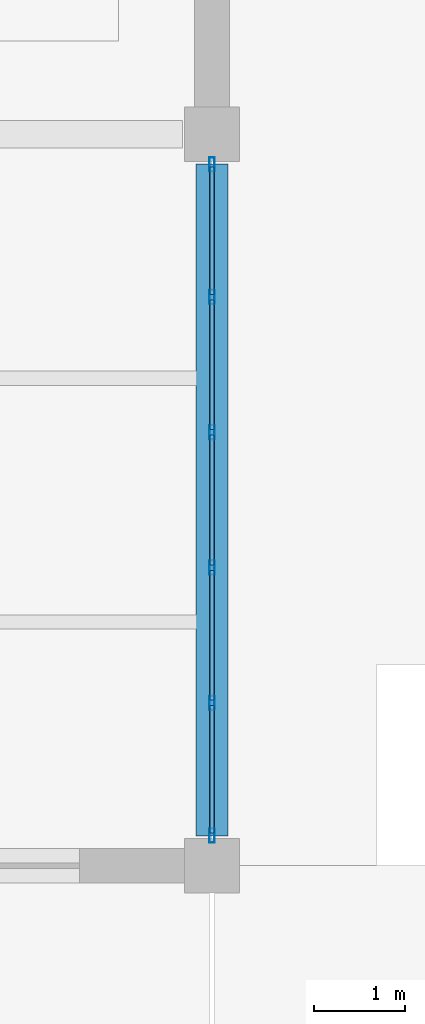
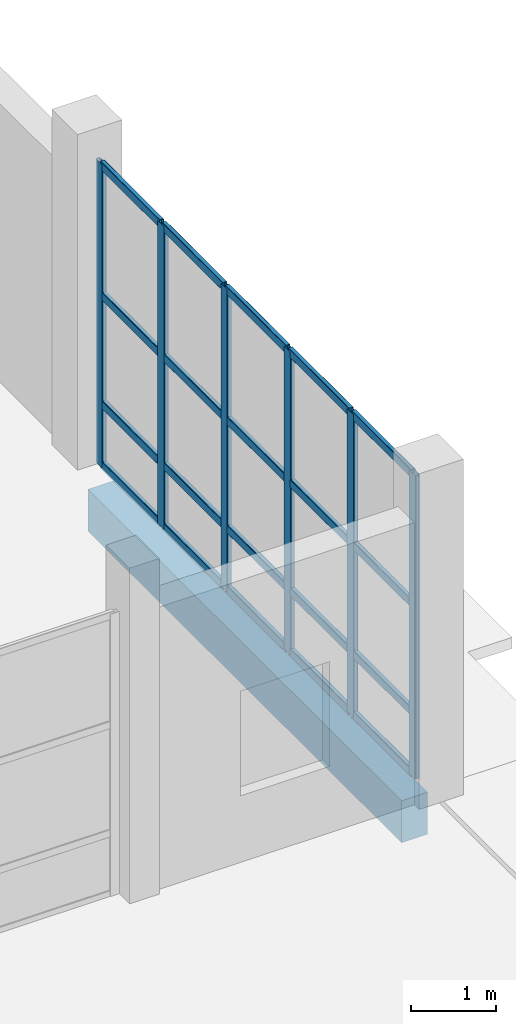
# One storey, part 38 of 156: 26 members, 1 beam, 1 element without a shape of its own.
"""IFC4 building model written with IfcOpenShell, lengths in metres."""

from ifc_helpers import new_model, si_unit, direction, frame, origin, origin_2d, place, context, subcontext, project, spatial, rectangle, hollow_rectangle, extrude, material, material_profile, profile_set, type_object, element, aggregate, save


model = new_model("IFC4")

# Units and contexts
model_context = context("Model", 3, precision=1e-05, world=origin(), true_north=direction((0.0, 1.0)))
body_context = subcontext(model_context, "Body", "Model", "MODEL_VIEW")
ifc_project = project(units=[si_unit("LENGTHUNIT", "METRE"), si_unit("AREAUNIT", "SQUARE_METRE"), si_unit("VOLUMEUNIT", "CUBIC_METRE"), si_unit("PLANEANGLEUNIT", "RADIAN"), si_unit("MASSUNIT", "GRAM", prefix="KILO")], contexts=[model_context])

# Site, building, storey
site_placement = place(None, origin())
site = spatial("IfcSite", under=ifc_project, at=site_placement, CompositionType="ELEMENT")
building_placement = place(site_placement, origin())
building = spatial("IfcBuilding", under=site, at=building_placement, Name="Luwemba Playhouse", CompositionType="ELEMENT")
storey_placement = place(building_placement, origin())
storey = spatial("IfcBuildingStorey", under=building, at=storey_placement, Name="L00", CompositionType="ELEMENT", Elevation=0.0)

# Beam
ifc_material_1 = material(Name="Concrete C40/50", Category="concrete")
ifc_material_profile_1 = material_profile(ifc_material_1, rectangle(XDim=0.35009765625, YDim=0.60009765625, at=origin_2d()))
ifc_profile_set_1 = profile_set([ifc_material_profile_1], Name="Concrete C40/50")
beam_type = type_object("IfcBeamType", Name="BM-SP3", PredefinedType="SPANDREL", material=ifc_profile_set_1)
beam_placement = place(storey_placement, frame((52.0, 36.324951171875, -0.60009765625), z_axis=(0.0, 1.0, 0.0), x_axis=(-1.0, 0.0, 0.0)))
element("IfcBeam", 1, at=beam_placement, inside=storey, type_object=beam_type, Name="L00 transverse girder 0037", PredefinedType="SPANDREL", context=body_context, shape_type="SweptSolid", body=[
    extrude(rectangle(XDim=0.35009765625, YDim=0.60009765625, at=origin_2d()), origin(), (0.0, 0.0, 1.0), 7.35009765625),
])

# Curtain wall, members
ifc_material_2 = material(Name="Solar-control double glazing", Category="glass")
curtain_wall_type = type_object("IfcCurtainWallType", Name="CW-CW07", PredefinedType="USERDEFINED", material=ifc_material_2)
curtain_wall_placement = place(storey_placement, origin())
curtain_wall = element("IfcCurtainWall", 2, at=curtain_wall_placement, inside=storey, type_object=curtain_wall_type, Name="L00 V1 unitised curtain wall 007", ObjectType="UNITISED GLAZING", PredefinedType="USERDEFINED")
ifc_material_3 = material(Name="Aluminium 6063-T6", Category="aluminium")
ifc_material_profile_2 = material_profile(ifc_material_3, hollow_rectangle(XDim=0.06005859375, YDim=0.159912109375, WallThickness=0.00390625, InnerFilletRadius=0.006103515625, OuterFilletRadius=0.010009765625, at=origin_2d()))
ifc_profile_set_2 = profile_set([ifc_material_profile_2], Name="Aluminium 6063-T6")
member_type_1 = type_object("IfcMemberType", Name="CWM-M1", PredefinedType="MULLION", material=ifc_profile_set_2)
member_1_placement = place(storey_placement, frame((52.0, 43.669921875, 0.0), z_axis=(0.0, 0.0, 1.0), x_axis=(1.0, 0.0, 0.0)))
member_1 = element("IfcMember", 3, at=member_1_placement, type_object=member_type_1, Name="CW07 mullion 1", PredefinedType="MULLION", context=body_context, shape_type="SweptSolid", body=[
    extrude(hollow_rectangle(XDim=0.06005859375, YDim=0.159912109375, WallThickness=0.00390625, InnerFilletRadius=0.006103515625, OuterFilletRadius=0.010009765625, at=origin_2d()), origin(), (0.0, 0.0, 1.0), 4.3349609375),
])
member_2_placement = place(storey_placement, frame((52.0, 42.219970703125, 0.0), z_axis=(0.0, 0.0, 1.0), x_axis=(1.0, 0.0, 0.0)))
member_2 = element("IfcMember", 4, at=member_2_placement, type_object=member_type_1, Name="CW07 mullion 2", PredefinedType="MULLION", context=body_context, shape_type="SweptSolid", body=[
    extrude(hollow_rectangle(XDim=0.06005859375, YDim=0.159912109375, WallThickness=0.00390625, InnerFilletRadius=0.006103515625, OuterFilletRadius=0.010009765625, at=origin_2d()), origin(), (0.0, 0.0, 1.0), 4.3349609375),
])
member_3_placement = place(storey_placement, frame((52.0, 40.739990234375, 0.0), z_axis=(0.0, 0.0, 1.0), x_axis=(1.0, 0.0, 0.0)))
member_3 = element("IfcMember", 5, at=member_3_placement, type_object=member_type_1, Name="CW07 mullion 3", PredefinedType="MULLION", context=body_context, shape_type="SweptSolid", body=[
    extrude(hollow_rectangle(XDim=0.06005859375, YDim=0.159912109375, WallThickness=0.00390625, InnerFilletRadius=0.006103515625, OuterFilletRadius=0.010009765625, at=origin_2d()), origin(), (0.0, 0.0, 1.0), 4.3349609375),
])
member_4_placement = place(storey_placement, frame((52.0, 39.260009765625, 0.0), z_axis=(0.0, 0.0, 1.0), x_axis=(1.0, 0.0, 0.0)))
member_4 = element("IfcMember", 6, at=member_4_placement, type_object=member_type_1, Name="CW07 mullion 4", PredefinedType="MULLION", context=body_context, shape_type="SweptSolid", body=[
    extrude(hollow_rectangle(XDim=0.06005859375, YDim=0.159912109375, WallThickness=0.00390625, InnerFilletRadius=0.006103515625, OuterFilletRadius=0.010009765625, at=origin_2d()), origin(), (0.0, 0.0, 1.0), 4.3349609375),
])
member_5_placement = place(storey_placement, frame((52.0, 37.780029296875, 0.0), z_axis=(0.0, 0.0, 1.0), x_axis=(1.0, 0.0, 0.0)))
member_5 = element("IfcMember", 7, at=member_5_placement, type_object=member_type_1, Name="CW07 mullion 5", PredefinedType="MULLION", context=body_context, shape_type="SweptSolid", body=[
    extrude(hollow_rectangle(XDim=0.06005859375, YDim=0.159912109375, WallThickness=0.00390625, InnerFilletRadius=0.006103515625, OuterFilletRadius=0.010009765625, at=origin_2d()), origin(), (0.0, 0.0, 1.0), 4.3349609375),
])
member_6_placement = place(storey_placement, frame((52.0, 36.330078125, 0.0), z_axis=(0.0, 0.0, 1.0), x_axis=(1.0, 0.0, 0.0)))
member_6 = element("IfcMember", 8, at=member_6_placement, type_object=member_type_1, Name="CW07 mullion 6", PredefinedType="MULLION", context=body_context, shape_type="SweptSolid", body=[
    extrude(hollow_rectangle(XDim=0.06005859375, YDim=0.159912109375, WallThickness=0.00390625, InnerFilletRadius=0.006103515625, OuterFilletRadius=0.010009765625, at=origin_2d()), origin(), (0.0, 0.0, 1.0), 4.3349609375),
])
ifc_material_profile_3 = material_profile(ifc_material_3, hollow_rectangle(XDim=0.06005859375, YDim=0.1201171875, WallThickness=0.00390625, InnerFilletRadius=0.006103515625, OuterFilletRadius=0.010009765625, at=origin_2d()))
ifc_profile_set_3 = profile_set([ifc_material_profile_3], Name="Aluminium 6063-T6")
member_type_2 = type_object("IfcMemberType", Name="CWT-T1", PredefinedType="USERDEFINED", material=ifc_profile_set_3)
member_7_placement = place(storey_placement, frame((52.0, 43.639892578125, 0.030029296875), z_axis=(0.0, -1.0, 0.0), x_axis=(1.0, 0.0, 0.0)))
member_7 = element("IfcMember", 9, at=member_7_placement, type_object=member_type_2, Name="CW07 transom 1.1", ObjectType="TRANSOM", PredefinedType="USERDEFINED", context=body_context, shape_type="SweptSolid", body=[
    extrude(hollow_rectangle(XDim=0.06005859375, YDim=0.1201171875, WallThickness=0.00390625, InnerFilletRadius=0.006103515625, OuterFilletRadius=0.010009765625, at=origin_2d()), origin(), (0.0, 0.0, 1.0), 1.389892578125),
])
member_8_placement = place(storey_placement, frame((52.0, 43.639892578125, 0.89990234375), z_axis=(0.0, -1.0, 0.0), x_axis=(1.0, 0.0, 0.0)))
member_8 = element("IfcMember", 10, at=member_8_placement, type_object=member_type_2, Name="CW07 transom 1.2", ObjectType="TRANSOM", PredefinedType="USERDEFINED", context=body_context, shape_type="SweptSolid", body=[
    extrude(hollow_rectangle(XDim=0.06005859375, YDim=0.1201171875, WallThickness=0.00390625, InnerFilletRadius=0.006103515625, OuterFilletRadius=0.010009765625, at=origin_2d()), origin(), (0.0, 0.0, 1.0), 1.389892578125),
])
member_9_placement = place(storey_placement, frame((52.0, 43.639892578125, 2.449951171875), z_axis=(0.0, -1.0, 0.0), x_axis=(1.0, 0.0, 0.0)))
member_9 = element("IfcMember", 11, at=member_9_placement, type_object=member_type_2, Name="CW07 transom 1.3", ObjectType="TRANSOM", PredefinedType="USERDEFINED", context=body_context, shape_type="SweptSolid", body=[
    extrude(hollow_rectangle(XDim=0.06005859375, YDim=0.1201171875, WallThickness=0.00390625, InnerFilletRadius=0.006103515625, OuterFilletRadius=0.010009765625, at=origin_2d()), origin(), (0.0, 0.0, 1.0), 1.389892578125),
])
member_10_placement = place(storey_placement, frame((52.0, 43.639892578125, 4.304931640625), z_axis=(0.0, -1.0, 0.0), x_axis=(1.0, 0.0, 0.0)))
member_10 = element("IfcMember", 12, at=member_10_placement, type_object=member_type_2, Name="CW07 transom 1.4", ObjectType="TRANSOM", PredefinedType="USERDEFINED", context=body_context, shape_type="SweptSolid", body=[
    extrude(hollow_rectangle(XDim=0.06005859375, YDim=0.1201171875, WallThickness=0.00390625, InnerFilletRadius=0.006103515625, OuterFilletRadius=0.010009765625, at=origin_2d()), origin(), (0.0, 0.0, 1.0), 1.389892578125),
])
member_11_placement = place(storey_placement, frame((52.0, 42.18994140625, 0.030029296875), z_axis=(0.0, -1.0, 0.0), x_axis=(1.0, 0.0, 0.0)))
member_11 = element("IfcMember", 13, at=member_11_placement, type_object=member_type_2, Name="CW07 transom 2.1", ObjectType="TRANSOM", PredefinedType="USERDEFINED", context=body_context, shape_type="SweptSolid", body=[
    extrude(hollow_rectangle(XDim=0.06005859375, YDim=0.1201171875, WallThickness=0.00390625, InnerFilletRadius=0.006103515625, OuterFilletRadius=0.010009765625, at=origin_2d()), origin(), (0.0, 0.0, 1.0), 1.419921875),
])
member_12_placement = place(storey_placement, frame((52.0, 42.18994140625, 0.89990234375), z_axis=(0.0, -1.0, 0.0), x_axis=(1.0, 0.0, 0.0)))
member_12 = element("IfcMember", 14, at=member_12_placement, type_object=member_type_2, Name="CW07 transom 2.2", ObjectType="TRANSOM", PredefinedType="USERDEFINED", context=body_context, shape_type="SweptSolid", body=[
    extrude(hollow_rectangle(XDim=0.06005859375, YDim=0.1201171875, WallThickness=0.00390625, InnerFilletRadius=0.006103515625, OuterFilletRadius=0.010009765625, at=origin_2d()), origin(), (0.0, 0.0, 1.0), 1.419921875),
])
member_13_placement = place(storey_placement, frame((52.0, 42.18994140625, 2.449951171875), z_axis=(0.0, -1.0, 0.0), x_axis=(1.0, 0.0, 0.0)))
member_13 = element("IfcMember", 15, at=member_13_placement, type_object=member_type_2, Name="CW07 transom 2.3", ObjectType="TRANSOM", PredefinedType="USERDEFINED", context=body_context, shape_type="SweptSolid", body=[
    extrude(hollow_rectangle(XDim=0.06005859375, YDim=0.1201171875, WallThickness=0.00390625, InnerFilletRadius=0.006103515625, OuterFilletRadius=0.010009765625, at=origin_2d()), origin(), (0.0, 0.0, 1.0), 1.419921875),
])
member_14_placement = place(storey_placement, frame((52.0, 42.18994140625, 4.304931640625), z_axis=(0.0, -1.0, 0.0), x_axis=(1.0, 0.0, 0.0)))
member_14 = element("IfcMember", 16, at=member_14_placement, type_object=member_type_2, Name="CW07 transom 2.4", ObjectType="TRANSOM", PredefinedType="USERDEFINED", context=body_context, shape_type="SweptSolid", body=[
    extrude(hollow_rectangle(XDim=0.06005859375, YDim=0.1201171875, WallThickness=0.00390625, InnerFilletRadius=0.006103515625, OuterFilletRadius=0.010009765625, at=origin_2d()), origin(), (0.0, 0.0, 1.0), 1.419921875),
])
member_15_placement = place(storey_placement, frame((52.0, 40.7099609375, 0.030029296875), z_axis=(0.0, -1.0, 0.0), x_axis=(1.0, 0.0, 0.0)))
member_15 = element("IfcMember", 17, at=member_15_placement, type_object=member_type_2, Name="CW07 transom 3.1", ObjectType="TRANSOM", PredefinedType="USERDEFINED", context=body_context, shape_type="SweptSolid", body=[
    extrude(hollow_rectangle(XDim=0.06005859375, YDim=0.1201171875, WallThickness=0.00390625, InnerFilletRadius=0.006103515625, OuterFilletRadius=0.010009765625, at=origin_2d()), origin(), (0.0, 0.0, 1.0), 1.419921875),
])
member_16_placement = place(storey_placement, frame((52.0, 40.7099609375, 0.89990234375), z_axis=(0.0, -1.0, 0.0), x_axis=(1.0, 0.0, 0.0)))
member_16 = element("IfcMember", 18, at=member_16_placement, type_object=member_type_2, Name="CW07 transom 3.2", ObjectType="TRANSOM", PredefinedType="USERDEFINED", context=body_context, shape_type="SweptSolid", body=[
    extrude(hollow_rectangle(XDim=0.06005859375, YDim=0.1201171875, WallThickness=0.00390625, InnerFilletRadius=0.006103515625, OuterFilletRadius=0.010009765625, at=origin_2d()), origin(), (0.0, 0.0, 1.0), 1.419921875),
])
member_17_placement = place(storey_placement, frame((52.0, 40.7099609375, 2.449951171875), z_axis=(0.0, -1.0, 0.0), x_axis=(1.0, 0.0, 0.0)))
member_17 = element("IfcMember", 19, at=member_17_placement, type_object=member_type_2, Name="CW07 transom 3.3", ObjectType="TRANSOM", PredefinedType="USERDEFINED", context=body_context, shape_type="SweptSolid", body=[
    extrude(hollow_rectangle(XDim=0.06005859375, YDim=0.1201171875, WallThickness=0.00390625, InnerFilletRadius=0.006103515625, OuterFilletRadius=0.010009765625, at=origin_2d()), origin(), (0.0, 0.0, 1.0), 1.419921875),
])
member_18_placement = place(storey_placement, frame((52.0, 40.7099609375, 4.304931640625), z_axis=(0.0, -1.0, 0.0), x_axis=(1.0, 0.0, 0.0)))
member_18 = element("IfcMember", 20, at=member_18_placement, type_object=member_type_2, Name="CW07 transom 3.4", ObjectType="TRANSOM", PredefinedType="USERDEFINED", context=body_context, shape_type="SweptSolid", body=[
    extrude(hollow_rectangle(XDim=0.06005859375, YDim=0.1201171875, WallThickness=0.00390625, InnerFilletRadius=0.006103515625, OuterFilletRadius=0.010009765625, at=origin_2d()), origin(), (0.0, 0.0, 1.0), 1.419921875),
])
member_19_placement = place(storey_placement, frame((52.0, 39.22998046875, 0.030029296875), z_axis=(0.0, -1.0, 0.0), x_axis=(1.0, 0.0, 0.0)))
member_19 = element("IfcMember", 21, at=member_19_placement, type_object=member_type_2, Name="CW07 transom 4.1", ObjectType="TRANSOM", PredefinedType="USERDEFINED", context=body_context, shape_type="SweptSolid", body=[
    extrude(hollow_rectangle(XDim=0.06005859375, YDim=0.1201171875, WallThickness=0.00390625, InnerFilletRadius=0.006103515625, OuterFilletRadius=0.010009765625, at=origin_2d()), origin(), (0.0, 0.0, 1.0), 1.419921875),
])
member_20_placement = place(storey_placement, frame((52.0, 39.22998046875, 0.89990234375), z_axis=(0.0, -1.0, 0.0), x_axis=(1.0, 0.0, 0.0)))
member_20 = element("IfcMember", 22, at=member_20_placement, type_object=member_type_2, Name="CW07 transom 4.2", ObjectType="TRANSOM", PredefinedType="USERDEFINED", context=body_context, shape_type="SweptSolid", body=[
    extrude(hollow_rectangle(XDim=0.06005859375, YDim=0.1201171875, WallThickness=0.00390625, InnerFilletRadius=0.006103515625, OuterFilletRadius=0.010009765625, at=origin_2d()), origin(), (0.0, 0.0, 1.0), 1.419921875),
])
member_21_placement = place(storey_placement, frame((52.0, 39.22998046875, 2.449951171875), z_axis=(0.0, -1.0, 0.0), x_axis=(1.0, 0.0, 0.0)))
member_21 = element("IfcMember", 23, at=member_21_placement, type_object=member_type_2, Name="CW07 transom 4.3", ObjectType="TRANSOM", PredefinedType="USERDEFINED", context=body_context, shape_type="SweptSolid", body=[
    extrude(hollow_rectangle(XDim=0.06005859375, YDim=0.1201171875, WallThickness=0.00390625, InnerFilletRadius=0.006103515625, OuterFilletRadius=0.010009765625, at=origin_2d()), origin(), (0.0, 0.0, 1.0), 1.419921875),
])
member_22_placement = place(storey_placement, frame((52.0, 39.22998046875, 4.304931640625), z_axis=(0.0, -1.0, 0.0), x_axis=(1.0, 0.0, 0.0)))
member_22 = element("IfcMember", 24, at=member_22_placement, type_object=member_type_2, Name="CW07 transom 4.4", ObjectType="TRANSOM", PredefinedType="USERDEFINED", context=body_context, shape_type="SweptSolid", body=[
    extrude(hollow_rectangle(XDim=0.06005859375, YDim=0.1201171875, WallThickness=0.00390625, InnerFilletRadius=0.006103515625, OuterFilletRadius=0.010009765625, at=origin_2d()), origin(), (0.0, 0.0, 1.0), 1.419921875),
])
member_23_placement = place(storey_placement, frame((52.0, 37.75, 0.030029296875), z_axis=(0.0, -1.0, 0.0), x_axis=(1.0, 0.0, 0.0)))
member_23 = element("IfcMember", 25, at=member_23_placement, type_object=member_type_2, Name="CW07 transom 5.1", ObjectType="TRANSOM", PredefinedType="USERDEFINED", context=body_context, shape_type="SweptSolid", body=[
    extrude(hollow_rectangle(XDim=0.06005859375, YDim=0.1201171875, WallThickness=0.00390625, InnerFilletRadius=0.006103515625, OuterFilletRadius=0.010009765625, at=origin_2d()), origin(), (0.0, 0.0, 1.0), 1.389892578125),
])
member_24_placement = place(storey_placement, frame((52.0, 37.75, 0.89990234375), z_axis=(0.0, -1.0, 0.0), x_axis=(1.0, 0.0, 0.0)))
member_24 = element("IfcMember", 26, at=member_24_placement, type_object=member_type_2, Name="CW07 transom 5.2", ObjectType="TRANSOM", PredefinedType="USERDEFINED", context=body_context, shape_type="SweptSolid", body=[
    extrude(hollow_rectangle(XDim=0.06005859375, YDim=0.1201171875, WallThickness=0.00390625, InnerFilletRadius=0.006103515625, OuterFilletRadius=0.010009765625, at=origin_2d()), origin(), (0.0, 0.0, 1.0), 1.389892578125),
])
member_25_placement = place(storey_placement, frame((52.0, 37.75, 2.449951171875), z_axis=(0.0, -1.0, 0.0), x_axis=(1.0, 0.0, 0.0)))
member_25 = element("IfcMember", 27, at=member_25_placement, type_object=member_type_2, Name="CW07 transom 5.3", ObjectType="TRANSOM", PredefinedType="USERDEFINED", context=body_context, shape_type="SweptSolid", body=[
    extrude(hollow_rectangle(XDim=0.06005859375, YDim=0.1201171875, WallThickness=0.00390625, InnerFilletRadius=0.006103515625, OuterFilletRadius=0.010009765625, at=origin_2d()), origin(), (0.0, 0.0, 1.0), 1.389892578125),
])
member_26_placement = place(storey_placement, frame((52.0, 37.75, 4.304931640625), z_axis=(0.0, -1.0, 0.0), x_axis=(1.0, 0.0, 0.0)))
member_26 = element("IfcMember", 28, at=member_26_placement, type_object=member_type_2, Name="CW07 transom 5.4", ObjectType="TRANSOM", PredefinedType="USERDEFINED", context=body_context, shape_type="SweptSolid", body=[
    extrude(hollow_rectangle(XDim=0.06005859375, YDim=0.1201171875, WallThickness=0.00390625, InnerFilletRadius=0.006103515625, OuterFilletRadius=0.010009765625, at=origin_2d()), origin(), (0.0, 0.0, 1.0), 1.389892578125),
])
aggregate(curtain_wall, [member_1, member_2, member_3, member_4, member_5, member_6, member_7, member_8, member_9, member_10, member_11, member_12, member_13, member_14, member_15, member_16, member_17, member_18, member_19, member_20, member_21, member_22, member_23, member_24, member_25, member_26])

save(model, "model.ifc")
